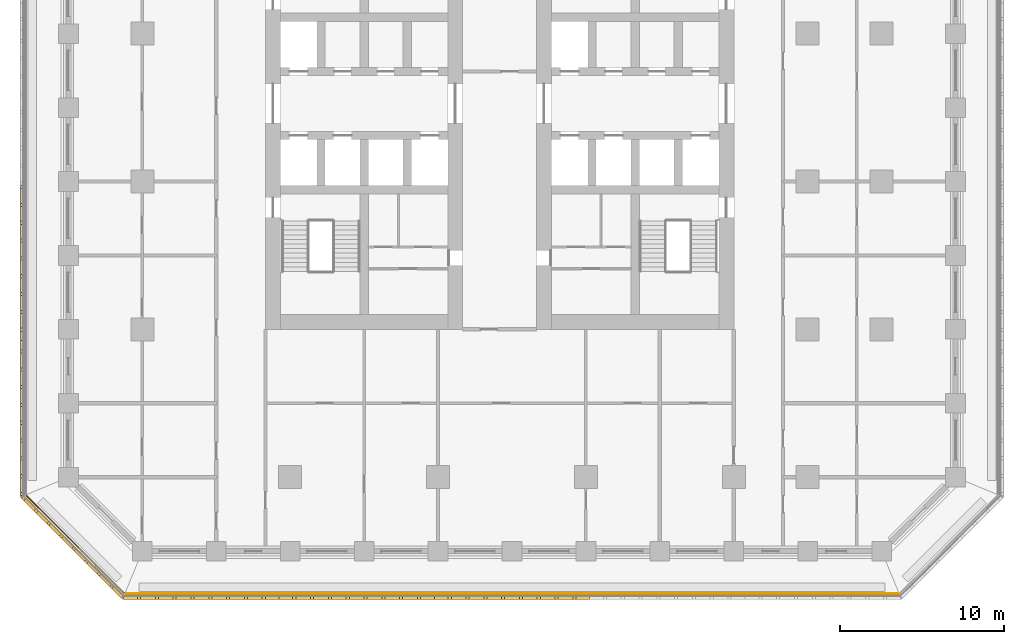
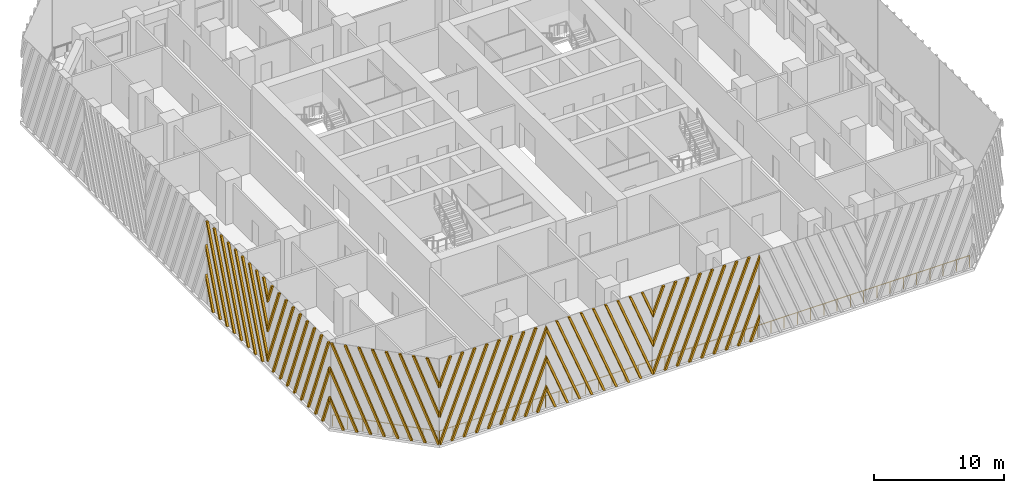
# One storey, part 11 of 20: 6 shading devices, 2 railings.
"""IFC4 building model written with IfcOpenShell, lengths in metres."""

import ifcopenshell
import ifcopenshell.guid

model = None  # the IFC model being written
_history = None  # IfcOwnerHistory: only IFC2X3 demands one
_inside = {}  # id of a spatial element -> (the spatial element, [elements in it])
_under = {}  # id of a project, library or spatial element -> (it, [spatial elements below it])
_declared = {}  # id of a project -> (the project, [libraries it declares])
_typed = {}  # id of a type object -> (the type object, [elements of that type])
_made_of = {}  # id of a material, layer set ... -> (it, [elements and type objects made of it])


def new_model(schema):
    """Start an empty IFC model of exactly this schema.

    Asked for "IFC4X3", IfcOpenShell would pick the latest addendum, in which some entities
    have other attributes; the version numbers below select the first issue.
    IFC2X3 requires an IfcOwnerHistory on every rooted entity: one is made here for all.
    """
    global model, _history
    if schema == "IFC4X3":
        model = ifcopenshell.file(schema_version=(4, 3, 0, 0))
    else:
        model = ifcopenshell.file(schema=schema)
    _inside.clear()
    _under.clear()
    _declared.clear()
    _typed.clear()
    _made_of.clear()
    _history = None
    if model.schema == "IFC2X3":
        org = make("IfcOrganization", Name="unknown")
        user = make(
            "IfcPersonAndOrganization",
            ThePerson=make("IfcPerson", FamilyName="unknown"),
            TheOrganization=org,
        )
        app = make(
            "IfcApplication",
            ApplicationDeveloper=org,
            Version="unknown",
            ApplicationFullName="unknown",
            ApplicationIdentifier="unknown",
        )
        _history = make(
            "IfcOwnerHistory",
            OwningUser=user,
            OwningApplication=app,
            ChangeAction="ADDED",
            CreationDate=0,
        )
    return model


def make(cls, **values):
    """One entity of the class cls with the attributes given. An attribute that is None is left unset."""
    return model.create_entity(
        cls, **{name: value for name, value in values.items() if value is not None}
    )


def rooted(cls, **values):
    """An entity with a GlobalId (a new one), such as an element, a storey or a relation."""
    return make(cls, GlobalId=ifcopenshell.guid.new(), OwnerHistory=_history, **values)


def si_unit(unit_type, name, prefix=None):
    """IfcSIUnit, for example si_unit("LENGTHUNIT", "METRE", prefix="MILLI")."""
    return make("IfcSIUnit", UnitType=unit_type, Prefix=prefix, Name=name)


def assignment(units):
    """IfcUnitAssignment: the units of a project."""
    return None if units is None else make("IfcUnitAssignment", Units=units)


def point(xyz):
    """IfcCartesianPoint."""
    return None if xyz is None else make("IfcCartesianPoint", Coordinates=xyz)


def direction(xyz):
    """IfcDirection."""
    return None if xyz is None else make("IfcDirection", DirectionRatios=xyz)


def frame(location, z_axis=None, x_axis=None):
    """IfcAxis2Placement3D, a coordinate frame: its origin and axes. An axis left out is left unset."""
    return make(
        "IfcAxis2Placement3D",
        Location=point(location),
        Axis=direction(z_axis),
        RefDirection=direction(x_axis),
    )


def frame_2d(location, x_axis=None):
    """IfcAxis2Placement2D, a coordinate frame in the plane: its origin and x axis."""
    return make(
        "IfcAxis2Placement2D", Location=point(location), RefDirection=direction(x_axis)
    )


def origin():
    """The frame at (0, 0, 0) with its axes left unset."""
    return frame((0.0, 0.0, 0.0))


def origin_2d():
    """The frame at (0, 0) in the plane with its x axis left unset."""
    return frame_2d((0.0, 0.0))


def place(relative_to, where):
    """IfcLocalPlacement: puts the frame where relative to a parent placement (None: the world)."""
    return make(
        "IfcLocalPlacement", PlacementRelTo=relative_to, RelativePlacement=where
    )


def context(
    kind, dimensions, precision=None, world=None, true_north=None, identifier=None
):
    """IfcGeometricRepresentationContext, for example the 3D "Model" context."""
    return make(
        "IfcGeometricRepresentationContext",
        ContextIdentifier=identifier,
        ContextType=kind,
        CoordinateSpaceDimension=dimensions,
        Precision=precision,
        WorldCoordinateSystem=world,
        TrueNorth=true_north,
    )


def subcontext(parent, identifier, kind, view, scale=None):
    """IfcGeometricRepresentationSubContext, for example "Body" below "Model"."""
    return make(
        "IfcGeometricRepresentationSubContext",
        ContextIdentifier=identifier,
        ContextType=kind,
        ParentContext=parent,
        TargetScale=scale,
        TargetView=view,
    )


def project(units=None, contexts=None):
    """IfcProject with its units and contexts."""
    return rooted(
        "IfcProject",
        Name="project",
        RepresentationContexts=contexts,
        UnitsInContext=assignment(units),
    )


def spatial(cls, under=None, at=None, **own):
    """A site, building, storey or space (cls), placed at a placement, below another one or the project."""
    s = rooted(cls, ObjectPlacement=at, **own)
    if under is not None:
        _under.setdefault(under.id(), (under, []))[1].append(s)
    return s


def polyline(points):
    """IfcPolyline through the points."""
    return make("IfcPolyline", Points=[point(p) for p in points])


def profile(cls, at=None, kind="AREA", **sizes):
    """A parametric profile (cls). Its sizes go by their IFC names, for example OverallWidth=200.0."""
    return make(cls, ProfileType=kind, Position=at, **sizes)


def circle(**sizes):
    """IfcCircleProfileDef."""
    return profile("IfcCircleProfileDef", **sizes)


def outline(outer, holes=None, kind="AREA"):
    """IfcArbitraryClosedProfileDef: a profile drawn as a closed curve; with holes, ...WithVoids."""
    if holes is None:
        return make("IfcArbitraryClosedProfileDef", ProfileType=kind, OuterCurve=outer)
    return make(
        "IfcArbitraryProfileDefWithVoids",
        ProfileType=kind,
        OuterCurve=outer,
        InnerCurves=holes,
    )


def extrude(swept, where, along, depth):
    """IfcExtrudedAreaSolid: the profile swept, set in the frame where, extruded along a direction by depth."""
    return make(
        "IfcExtrudedAreaSolid",
        SweptArea=swept,
        Position=where,
        ExtrudedDirection=direction(along),
        Depth=depth,
    )


def shape(context_of_items, identifier, shape_type, items):
    """IfcShapeRepresentation: the items that make up one representation, for example the "Body"."""
    return make(
        "IfcShapeRepresentation",
        ContextOfItems=context_of_items,
        RepresentationIdentifier=identifier,
        RepresentationType=shape_type,
        Items=items,
    )


def source(mapping_origin, context_of_items, identifier, shape_type, items):
    """IfcRepresentationMap: a shape defined once, which mapped items show again and again."""
    return make(
        "IfcRepresentationMap",
        MappingOrigin=mapping_origin,
        MappedRepresentation=shape(context_of_items, identifier, shape_type, items),
    )


def transform(
    local_origin,
    x_axis=None,
    y_axis=None,
    z_axis=None,
    scale=None,
    scale2=None,
    scale3=None,
    uniform=True,
):
    """IfcCartesianTransformationOperator3D, or its non-uniform kind. x_axis, y_axis, z_axis: its Axis1, 2, 3."""
    if uniform:
        return make(
            "IfcCartesianTransformationOperator3D",
            Axis1=direction(x_axis),
            Axis2=direction(y_axis),
            LocalOrigin=point(local_origin),
            Scale=scale,
            Axis3=direction(z_axis),
        )
    return make(
        "IfcCartesianTransformationOperator3DnonUniform",
        Axis1=direction(x_axis),
        Axis2=direction(y_axis),
        LocalOrigin=point(local_origin),
        Scale=scale,
        Axis3=direction(z_axis),
        Scale2=scale2,
        Scale3=scale3,
    )


def mapped(mapping_source, mapping_target):
    """IfcMappedItem: shows the shape of a source again, moved by a transform."""
    return make(
        "IfcMappedItem", MappingSource=mapping_source, MappingTarget=mapping_target
    )


def material(Name=None, Category=None):
    """IfcMaterial."""
    return make("IfcMaterial", Name=Name, Category=Category)


def made_of(thing, what):
    """Note that an element or type object is made of a material, layer set ...; save() writes the relation."""
    if what is not None:
        _made_of.setdefault(what.id(), (what, []))[1].append(thing)
    return thing


def type_object(cls, material=None, **own):
    """A type object (cls), such as IfcWallType, which elements share."""
    return made_of(rooted(cls, **own), material)


def element(
    cls,
    number,
    at=None,
    inside=None,
    cuts=None,
    type_object=None,
    material=None,
    context=None,
    identifier="Body",
    shape_type=None,
    held_by="IfcProductDefinitionShape",
    body=None,
    shapes=None,
    **own,
):
    """One element of the class cls, such as IfcWall. Its Tag is "e" and its number.

    at: its placement. inside: the storey or other place that contains it. cuts: it is an
    opening in that element (IfcRelVoidsElement). A single representation is given by context,
    identifier, shape_type and body (its items); several are given by shapes. held_by: the class
    of the entity that holds the representations. save() writes the other relations.
    """
    e = rooted(cls, Tag="e%d" % number, ObjectPlacement=at, **own)
    if body is not None:
        shapes = [shape(context, identifier, shape_type, body)]
    if shapes is not None:
        e.Representation = make(held_by, Representations=shapes)
    if inside is not None:
        _inside.setdefault(inside.id(), (inside, []))[1].append(e)
    if cuts is not None:
        rooted(
            "IfcRelVoidsElement", RelatingBuildingElement=cuts, RelatedOpeningElement=e
        )
    if type_object is not None:
        _typed.setdefault(type_object.id(), (type_object, []))[1].append(e)
    return made_of(e, material)


def aggregate(whole, parts):
    """IfcRelAggregates: a whole, such as a stair, and the parts it consists of."""
    return rooted("IfcRelAggregates", RelatingObject=whole, RelatedObjects=parts)


def save(model, path):
    """Write the relations noted so far, then the file.

    IfcRelAggregates (storeys below a building ...), IfcRelContainedInSpatialStructure (elements
    in a storey), IfcRelDefinesByType, IfcRelAssociatesMaterial and IfcRelDeclares: one each for
    every whole, place, type object, material and project.
    """
    for whole, parts in _under.values():
        aggregate(whole, parts)
    for where, things in _inside.values():
        rooted(
            "IfcRelContainedInSpatialStructure",
            RelatedElements=things,
            RelatingStructure=where,
        )
    for kind, things in _typed.values():
        rooted("IfcRelDefinesByType", RelatedObjects=things, RelatingType=kind)
    for what, things in _made_of.values():
        rooted("IfcRelAssociatesMaterial", RelatedObjects=things, RelatingMaterial=what)
    for by, libraries in _declared.values():
        rooted("IfcRelDeclares", RelatingContext=by, RelatedDefinitions=libraries)
    model.write(path)


model = new_model("IFC4")

# Units and contexts
model_context = context("Model", 3, precision=1e-05, world=origin(), true_north=direction((0.0, 1.0)))
body_context = subcontext(model_context, "Body", "Model", "MODEL_VIEW")
ifc_project = project(units=[si_unit("LENGTHUNIT", "METRE"), si_unit("AREAUNIT", "SQUARE_METRE"), si_unit("VOLUMEUNIT", "CUBIC_METRE"), si_unit("PLANEANGLEUNIT", "RADIAN"), si_unit("MASSUNIT", "GRAM", prefix="KILO")], contexts=[model_context])

# Site, building, storey
site_placement = place(None, origin())
site = spatial("IfcSite", under=ifc_project, at=site_placement, CompositionType="ELEMENT")
building_placement = place(site_placement, origin())
building = spatial("IfcBuilding", under=site, at=building_placement, Name="Corbel Stack Research Tower", CompositionType="ELEMENT")
storey_placement = place(building_placement, frame((0.0, 0.0, 98.39990234375)))
storey = spatial("IfcBuildingStorey", under=building, at=storey_placement, Name="L22", CompositionType="ELEMENT", Elevation=98.39990234375)

# Railings
ifc_material_1 = material(Name="Powder-coated steel guard", Category="steel")
railing_type = type_object("IfcRailingType", Name="Steel and glass guard 1100", PredefinedType="GUARDRAIL", material=ifc_material_1)
railing_1_placement = place(storey_placement, frame((-19.00537109375, -25.10009765625, 0.0)))
element("IfcRailing", 1, at=railing_1_placement, inside=storey, type_object=railing_type, Name="Loggia guard L22 S", PredefinedType="GUARDRAIL", context=body_context, shape_type="SweptSolid", body=[
    extrude(circle(Radius=0.02392578125, at=origin_2d()), frame((0.0, 0.0, 1.076171875), z_axis=(1.0, 0.0, 0.0), x_axis=(0.0, 1.0, 0.0)), (0.0, 0.0, 1.0), 47.0107421875),
    extrude(circle(Radius=0.02099609375, at=origin_2d()), origin(), (0.0, 0.0, 1.0), 1.052001953125),
    extrude(circle(Radius=0.02099609375, at=origin_2d()), frame((1.17529296875, 0.0, 0.0)), (0.0, 0.0, 1.0), 1.052001953125),
    extrude(circle(Radius=0.02099609375, at=origin_2d()), frame((2.3505859375, 0.0, 0.0)), (0.0, 0.0, 1.0), 1.052001953125),
    extrude(circle(Radius=0.02099609375, at=origin_2d()), frame((3.52587890625, 0.0, 0.0)), (0.0, 0.0, 1.0), 1.052001953125),
    extrude(circle(Radius=0.02099609375, at=origin_2d()), frame((4.701171875, 0.0, 0.0)), (0.0, 0.0, 1.0), 1.052001953125),
    extrude(circle(Radius=0.02099609375, at=origin_2d()), frame((5.87646484375, 0.0, 0.0)), (0.0, 0.0, 1.0), 1.052001953125),
    extrude(circle(Radius=0.02099609375, at=origin_2d()), frame((7.051513671875, 0.0, 0.0)), (0.0, 0.0, 1.0), 1.052001953125),
    extrude(circle(Radius=0.02099609375, at=origin_2d()), frame((8.226806640625, 0.0, 0.0)), (0.0, 0.0, 1.0), 1.052001953125),
    extrude(circle(Radius=0.02099609375, at=origin_2d()), frame((9.402099609375, 0.0, 0.0)), (0.0, 0.0, 1.0), 1.052001953125),
    extrude(circle(Radius=0.02099609375, at=origin_2d()), frame((10.577392578125, 0.0, 0.0)), (0.0, 0.0, 1.0), 1.052001953125),
    extrude(circle(Radius=0.02099609375, at=origin_2d()), frame((11.752685546875, 0.0, 0.0)), (0.0, 0.0, 1.0), 1.052001953125),
    extrude(circle(Radius=0.02099609375, at=origin_2d()), frame((12.927978515625, 0.0, 0.0)), (0.0, 0.0, 1.0), 1.052001953125),
    extrude(circle(Radius=0.02099609375, at=origin_2d()), frame((14.103271484375, 0.0, 0.0)), (0.0, 0.0, 1.0), 1.052001953125),
    extrude(circle(Radius=0.02099609375, at=origin_2d()), frame((15.278564453125, 0.0, 0.0)), (0.0, 0.0, 1.0), 1.052001953125),
    extrude(circle(Radius=0.02099609375, at=origin_2d()), frame((16.453857421875, 0.0, 0.0)), (0.0, 0.0, 1.0), 1.052001953125),
    extrude(circle(Radius=0.02099609375, at=origin_2d()), frame((17.62890625, 0.0, 0.0)), (0.0, 0.0, 1.0), 1.052001953125),
    extrude(circle(Radius=0.02099609375, at=origin_2d()), frame((18.80419921875, 0.0, 0.0)), (0.0, 0.0, 1.0), 1.052001953125),
    extrude(circle(Radius=0.02099609375, at=origin_2d()), frame((19.9794921875, 0.0, 0.0)), (0.0, 0.0, 1.0), 1.052001953125),
    extrude(circle(Radius=0.02099609375, at=origin_2d()), frame((21.15478515625, 0.0, 0.0)), (0.0, 0.0, 1.0), 1.052001953125),
    extrude(circle(Radius=0.02099609375, at=origin_2d()), frame((22.330078125, 0.0, 0.0)), (0.0, 0.0, 1.0), 1.052001953125),
    extrude(circle(Radius=0.02099609375, at=origin_2d()), frame((23.50537109375, 0.0, 0.0)), (0.0, 0.0, 1.0), 1.052001953125),
    extrude(circle(Radius=0.02099609375, at=origin_2d()), frame((24.6806640625, 0.0, 0.0)), (0.0, 0.0, 1.0), 1.052001953125),
    extrude(circle(Radius=0.02099609375, at=origin_2d()), frame((25.85595703125, 0.0, 0.0)), (0.0, 0.0, 1.0), 1.052001953125),
    extrude(circle(Radius=0.02099609375, at=origin_2d()), frame((27.03125, 0.0, 0.0)), (0.0, 0.0, 1.0), 1.052001953125),
    extrude(circle(Radius=0.02099609375, at=origin_2d()), frame((28.20654296875, 0.0, 0.0)), (0.0, 0.0, 1.0), 1.052001953125),
    extrude(circle(Radius=0.02099609375, at=origin_2d()), frame((29.3818359375, 0.0, 0.0)), (0.0, 0.0, 1.0), 1.052001953125),
    extrude(circle(Radius=0.02099609375, at=origin_2d()), frame((30.556884765625, 0.0, 0.0)), (0.0, 0.0, 1.0), 1.052001953125),
    extrude(circle(Radius=0.02099609375, at=origin_2d()), frame((31.732177734375, 0.0, 0.0)), (0.0, 0.0, 1.0), 1.052001953125),
    extrude(circle(Radius=0.02099609375, at=origin_2d()), frame((32.907470703125, 0.0, 0.0)), (0.0, 0.0, 1.0), 1.052001953125),
    extrude(circle(Radius=0.02099609375, at=origin_2d()), frame((34.082763671875, 0.0, 0.0)), (0.0, 0.0, 1.0), 1.052001953125),
    extrude(circle(Radius=0.02099609375, at=origin_2d()), frame((35.258056640625, 0.0, 0.0)), (0.0, 0.0, 1.0), 1.052001953125),
    extrude(circle(Radius=0.02099609375, at=origin_2d()), frame((36.433349609375, 0.0, 0.0)), (0.0, 0.0, 1.0), 1.052001953125),
    extrude(circle(Radius=0.02099609375, at=origin_2d()), frame((37.608642578125, 0.0, 0.0)), (0.0, 0.0, 1.0), 1.052001953125),
    extrude(circle(Radius=0.02099609375, at=origin_2d()), frame((38.783935546875, 0.0, 0.0)), (0.0, 0.0, 1.0), 1.052001953125),
    extrude(circle(Radius=0.02099609375, at=origin_2d()), frame((39.959228515625, 0.0, 0.0)), (0.0, 0.0, 1.0), 1.052001953125),
    extrude(circle(Radius=0.02099609375, at=origin_2d()), frame((41.13427734375, 0.0, 0.0)), (0.0, 0.0, 1.0), 1.052001953125),
    extrude(circle(Radius=0.02099609375, at=origin_2d()), frame((42.3095703125, 0.0, 0.0)), (0.0, 0.0, 1.0), 1.052001953125),
    extrude(circle(Radius=0.02099609375, at=origin_2d()), frame((43.48486328125, 0.0, 0.0)), (0.0, 0.0, 1.0), 1.052001953125),
    extrude(circle(Radius=0.02099609375, at=origin_2d()), frame((44.66015625, 0.0, 0.0)), (0.0, 0.0, 1.0), 1.052001953125),
    extrude(circle(Radius=0.02099609375, at=origin_2d()), frame((45.83544921875, 0.0, 0.0)), (0.0, 0.0, 1.0), 1.052001953125),
    extrude(circle(Radius=0.02099609375, at=origin_2d()), frame((47.0107421875, 0.0, 0.0)), (0.0, 0.0, 1.0), 1.052001953125),
])
railing_2_placement = place(storey_placement, frame((-25.04931640625, -19.127685546875, 0.0)))
element("IfcRailing", 2, at=railing_2_placement, inside=storey, type_object=railing_type, Name="Loggia guard L22 SW", PredefinedType="GUARDRAIL", context=body_context, shape_type="SweptSolid", body=[
    extrude(circle(Radius=0.02392578125, at=origin_2d()), frame((0.0, 0.0, 1.076171875), z_axis=(0.707106781187, -0.707106781187, 0.0), x_axis=(0.707106781187, 0.707106781187, 0.0)), (0.0, 0.0, 1.0), 8.37451171875),
    extrude(circle(Radius=0.02099609375, at=origin_2d()), origin(), (0.0, 0.0, 1.0), 1.052001953125),
    extrude(circle(Radius=0.02099609375, at=origin_2d()), frame((0.845947265625, -0.845947265625, 0.0)), (0.0, 0.0, 1.0), 1.052001953125),
    extrude(circle(Radius=0.02099609375, at=origin_2d()), frame((1.69189453125, -1.69189453125, 0.0)), (0.0, 0.0, 1.0), 1.052001953125),
    extrude(circle(Radius=0.02099609375, at=origin_2d()), frame((2.537841796875, -2.537841796875, 0.0)), (0.0, 0.0, 1.0), 1.052001953125),
    extrude(circle(Radius=0.02099609375, at=origin_2d()), frame((3.3837890625, -3.3837890625, 0.0)), (0.0, 0.0, 1.0), 1.052001953125),
    extrude(circle(Radius=0.02099609375, at=origin_2d()), frame((4.229736328125, -4.229736328125, 0.0)), (0.0, 0.0, 1.0), 1.052001953125),
    extrude(circle(Radius=0.02099609375, at=origin_2d()), frame((5.07568359375, -5.07568359375, 0.0)), (0.0, 0.0, 1.0), 1.052001953125),
    extrude(circle(Radius=0.02099609375, at=origin_2d()), frame((5.921630859375, -5.921630859375, 0.0)), (0.0, 0.0, 1.0), 1.052001953125),
])

# Shading devices
ifc_material_2 = material(Name="Precast terracotta", Category="masonry")
shading_device_type = type_object("IfcShadingDeviceType", Name="Terracotta screen panel", PredefinedType="USERDEFINED", material=ifc_material_2)
shared_shape_1 = source(origin(), body_context, "Body", "SweptSolid", [
    extrude(outline(polyline([(1.030517578125, 7.949951171875), (0.840576171875, 7.949951171875), (0.0, 5.7978515625), (0.0, 5.311279296875), (1.030517578125, 7.949951171875)])), frame((0.0, 0.0, 0.0), z_axis=(0.0, -1.0, 0.0), x_axis=(1.0, 0.0, 0.0)), (0.0, 0.0, 1.0), 0.179931640625),
    extrude(outline(polyline([(2.115234375, 7.949951171875), (1.92529296875, 7.949951171875), (0.0, 3.0205078125), (0.0, 2.533935546875), (2.115234375, 7.949951171875)])), frame((0.0, 0.0, 0.0), z_axis=(0.0, -1.0, 0.0), x_axis=(1.0, 0.0, 0.0)), (0.0, 0.0, 1.0), 0.179931640625),
    extrude(outline(polyline([(0.094970703125, 0.0), (3.199951171875, 7.949951171875), (3.010009765625, 7.949951171875), (0.0, 0.2431640625), (0.0, 0.0), (0.094970703125, 0.0)])), frame((0.0, 0.0, 0.0), z_axis=(0.0, -1.0, 0.0), x_axis=(1.0, 0.0, 0.0)), (0.0, 0.0, 1.0), 0.179931640625),
    extrude(outline(polyline([(1.1796875, 0.0), (4.284423828125, 7.949951171875), (4.094482421875, 7.949951171875), (0.98974609375, 0.0), (1.1796875, 0.0)])), frame((0.0, 0.0, 0.0), z_axis=(0.0, -1.0, 0.0), x_axis=(1.0, 0.0, 0.0)), (0.0, 0.0, 1.0), 0.179931640625),
    extrude(outline(polyline([(2.264404296875, 0.0), (5.369140625, 7.949951171875), (5.17919921875, 7.949951171875), (2.07421875, 0.0), (2.264404296875, 0.0)])), frame((0.0, 0.0, 0.0), z_axis=(0.0, -1.0, 0.0), x_axis=(1.0, 0.0, 0.0)), (0.0, 0.0, 1.0), 0.179931640625),
    extrude(outline(polyline([(3.34912109375, 0.0), (6.453857421875, 7.949951171875), (6.263916015625, 7.949951171875), (3.158935546875, 0.0), (3.34912109375, 0.0)])), frame((0.0, 0.0, 0.0), z_axis=(0.0, -1.0, 0.0), x_axis=(1.0, 0.0, 0.0)), (0.0, 0.0, 1.0), 0.179931640625),
    extrude(outline(polyline([(4.43359375, 0.0), (7.53857421875, 7.949951171875), (7.348388671875, 7.949951171875), (4.24365234375, 0.0), (4.43359375, 0.0)])), frame((0.0, 0.0, 0.0), z_axis=(0.0, -1.0, 0.0), x_axis=(1.0, 0.0, 0.0)), (0.0, 0.0, 1.0), 0.179931640625),
    extrude(outline(polyline([(5.518310546875, 0.0), (8.623291015625, 7.949951171875), (8.43310546875, 7.949951171875), (5.328369140625, 0.0), (5.518310546875, 0.0)])), frame((0.0, 0.0, 0.0), z_axis=(0.0, -1.0, 0.0), x_axis=(1.0, 0.0, 0.0)), (0.0, 0.0, 1.0), 0.179931640625),
    extrude(outline(polyline([(6.60302734375, 0.0), (9.45556640625, 7.30419921875), (9.45556640625, 7.790771484375), (6.4130859375, 0.0), (6.60302734375, 0.0)])), frame((0.0, 0.0, 0.0), z_axis=(0.0, -1.0, 0.0), x_axis=(1.0, 0.0, 0.0)), (0.0, 0.0, 1.0), 0.179931640625),
    extrude(outline(polyline([(7.687744140625, 0.0), (9.45556640625, 4.52685546875), (9.45556640625, 5.013427734375), (7.497802734375, 0.0), (7.687744140625, 0.0)])), frame((0.0, 0.0, 0.0), z_axis=(0.0, -1.0, 0.0), x_axis=(1.0, 0.0, 0.0)), (0.0, 0.0, 1.0), 0.179931640625),
    extrude(outline(polyline([(8.772216796875, 0.0), (9.45556640625, 1.74951171875), (9.45556640625, 2.236083984375), (8.582275390625, 0.0), (8.772216796875, 0.0)])), frame((0.0, 0.0, 0.0), z_axis=(0.0, -1.0, 0.0), x_axis=(1.0, 0.0, 0.0)), (0.0, 0.0, 1.0), 0.179931640625),
])
for number, where, z_axis, x_axis, name in (
    (3, (-19.13916015625, -25.25, 0.0), (0.0, 0.0, 1.0), (1.0, 0.0, 0.0), "Terracotta screen L22 S1"),
    (4, (-0.227783203125, -25.25, 0.0), (0.0, 0.0, 1.0), (1.0, 0.0, 0.0), "Terracotta screen L22 S3"),
):
    element("IfcShadingDevice", number, at=place(storey_placement, frame(where, z_axis=z_axis, x_axis=x_axis)), inside=storey, type_object=shading_device_type, Name=name, ObjectType="SCREEN", PredefinedType="USERDEFINED", context=body_context, shape_type="MappedRepresentation", body=[
        mapped(shared_shape_1, transform((0.0, 0.0, 0.0))),
    ])
shared_shape_2 = source(origin(), body_context, "Body", "SweptSolid", [
    extrude(outline(polyline([(0.873291015625, 0.0), (0.0, 2.236083984375), (0.0, 1.74951171875), (0.683349609375, 0.0), (0.873291015625, 0.0)])), frame((0.0, 0.0, 0.0), z_axis=(0.0, -1.0, 0.0), x_axis=(1.0, 0.0, 0.0)), (0.0, 0.0, 1.0), 0.179931640625),
    extrude(outline(polyline([(1.9580078125, 0.0), (0.0, 5.013427734375), (0.0, 4.52685546875), (1.76806640625, 0.0), (1.9580078125, 0.0)])), frame((0.0, 0.0, 0.0), z_axis=(0.0, -1.0, 0.0), x_axis=(1.0, 0.0, 0.0)), (0.0, 0.0, 1.0), 0.179931640625),
    extrude(outline(polyline([(3.04248046875, 0.0), (0.0, 7.790771484375), (0.0, 7.30419921875), (2.8525390625, 0.0), (3.04248046875, 0.0)])), frame((0.0, 0.0, 0.0), z_axis=(0.0, -1.0, 0.0), x_axis=(1.0, 0.0, 0.0)), (0.0, 0.0, 1.0), 0.179931640625),
    extrude(outline(polyline([(4.127197265625, 0.0), (1.0224609375, 7.949951171875), (0.83251953125, 7.949951171875), (3.937255859375, 0.0), (4.127197265625, 0.0)])), frame((0.0, 0.0, 0.0), z_axis=(0.0, -1.0, 0.0), x_axis=(1.0, 0.0, 0.0)), (0.0, 0.0, 1.0), 0.179931640625),
    extrude(outline(polyline([(5.2119140625, 0.0), (2.107177734375, 7.949951171875), (1.9169921875, 7.949951171875), (5.02197265625, 0.0), (5.2119140625, 0.0)])), frame((0.0, 0.0, 0.0), z_axis=(0.0, -1.0, 0.0), x_axis=(1.0, 0.0, 0.0)), (0.0, 0.0, 1.0), 0.179931640625),
    extrude(outline(polyline([(6.296630859375, 0.0), (3.19189453125, 7.949951171875), (3.001708984375, 7.949951171875), (6.106689453125, 0.0), (6.296630859375, 0.0)])), frame((0.0, 0.0, 0.0), z_axis=(0.0, -1.0, 0.0), x_axis=(1.0, 0.0, 0.0)), (0.0, 0.0, 1.0), 0.179931640625),
    extrude(outline(polyline([(7.38134765625, 0.0), (4.276611328125, 7.949951171875), (4.08642578125, 7.949951171875), (7.19140625, 0.0), (7.38134765625, 0.0)])), frame((0.0, 0.0, 0.0), z_axis=(0.0, -1.0, 0.0), x_axis=(1.0, 0.0, 0.0)), (0.0, 0.0, 1.0), 0.179931640625),
    extrude(outline(polyline([(8.466064453125, 0.0), (5.361083984375, 7.949951171875), (5.171142578125, 7.949951171875), (8.27587890625, 0.0), (8.466064453125, 0.0)])), frame((0.0, 0.0, 0.0), z_axis=(0.0, -1.0, 0.0), x_axis=(1.0, 0.0, 0.0)), (0.0, 0.0, 1.0), 0.179931640625),
    extrude(outline(polyline([(9.45556640625, 0.0), (9.45556640625, 0.2431640625), (6.44580078125, 7.949951171875), (6.255859375, 7.949951171875), (9.360595703125, 0.0), (9.45556640625, 0.0)])), frame((0.0, 0.0, 0.0), z_axis=(0.0, -1.0, 0.0), x_axis=(1.0, 0.0, 0.0)), (0.0, 0.0, 1.0), 0.179931640625),
    extrude(outline(polyline([(7.530517578125, 7.949951171875), (7.34033203125, 7.949951171875), (9.45556640625, 2.533935546875), (9.45556640625, 3.0205078125), (7.530517578125, 7.949951171875)])), frame((0.0, 0.0, 0.0), z_axis=(0.0, -1.0, 0.0), x_axis=(1.0, 0.0, 0.0)), (0.0, 0.0, 1.0), 0.179931640625),
    extrude(outline(polyline([(8.614990234375, 7.949951171875), (8.425048828125, 7.949951171875), (9.45556640625, 5.311279296875), (9.45556640625, 5.7978515625), (8.614990234375, 7.949951171875)])), frame((0.0, 0.0, 0.0), z_axis=(0.0, -1.0, 0.0), x_axis=(1.0, 0.0, 0.0)), (0.0, 0.0, 1.0), 0.179931640625),
])
shading_device_1_placement = place(storey_placement, frame((-9.68359375, -25.25, 0.0), z_axis=(0.0, 0.0, 1.0), x_axis=(1.0, 0.0, 0.0)))
element("IfcShadingDevice", 5, at=shading_device_1_placement, inside=storey, type_object=shading_device_type, Name="Terracotta screen L22 S2", ObjectType="SCREEN", PredefinedType="USERDEFINED", context=body_context, shape_type="MappedRepresentation", body=[
    mapped(shared_shape_2, transform((0.0, 0.0, 0.0))),
])
shared_shape_3 = source(origin(), body_context, "Body", "SweptSolid", [
    extrude(outline(polyline([(0.759521484375, 7.949951171875), (0.5693359375, 7.949951171875), (0.0, 6.4921875), (0.0, 6.005615234375), (0.759521484375, 7.949951171875)])), frame((0.0, 0.0, 0.0), z_axis=(0.0, -1.0, 0.0), x_axis=(1.0, 0.0, 0.0)), (0.0, 0.0, 1.0), 0.179931640625),
    extrude(outline(polyline([(1.843994140625, 7.949951171875), (1.654052734375, 7.949951171875), (0.0, 3.71484375), (0.0, 3.228515625), (1.843994140625, 7.949951171875)])), frame((0.0, 0.0, 0.0), z_axis=(0.0, -1.0, 0.0), x_axis=(1.0, 0.0, 0.0)), (0.0, 0.0, 1.0), 0.179931640625),
    extrude(outline(polyline([(2.9287109375, 7.949951171875), (2.73876953125, 7.949951171875), (0.0, 0.9375), (0.0, 0.451171875), (2.9287109375, 7.949951171875)])), frame((0.0, 0.0, 0.0), z_axis=(0.0, -1.0, 0.0), x_axis=(1.0, 0.0, 0.0)), (0.0, 0.0, 1.0), 0.179931640625),
    extrude(outline(polyline([(0.908447265625, 0.0), (4.013427734375, 7.949951171875), (3.823486328125, 7.949951171875), (0.718505859375, 0.0), (0.908447265625, 0.0)])), frame((0.0, 0.0, 0.0), z_axis=(0.0, -1.0, 0.0), x_axis=(1.0, 0.0, 0.0)), (0.0, 0.0, 1.0), 0.179931640625),
    extrude(outline(polyline([(1.9931640625, 0.0), (5.097900390625, 7.949951171875), (4.907958984375, 7.949951171875), (1.80322265625, 0.0), (1.9931640625, 0.0)])), frame((0.0, 0.0, 0.0), z_axis=(0.0, -1.0, 0.0), x_axis=(1.0, 0.0, 0.0)), (0.0, 0.0, 1.0), 0.179931640625),
    extrude(outline(polyline([(3.077880859375, 0.0), (6.1826171875, 7.949951171875), (5.99267578125, 7.949951171875), (2.8876953125, 0.0), (3.077880859375, 0.0)])), frame((0.0, 0.0, 0.0), z_axis=(0.0, -1.0, 0.0), x_axis=(1.0, 0.0, 0.0)), (0.0, 0.0, 1.0), 0.179931640625),
    extrude(outline(polyline([(4.16259765625, 0.0), (7.267333984375, 7.949951171875), (7.077392578125, 7.949951171875), (3.972412109375, 0.0), (4.16259765625, 0.0)])), frame((0.0, 0.0, 0.0), z_axis=(0.0, -1.0, 0.0), x_axis=(1.0, 0.0, 0.0)), (0.0, 0.0, 1.0), 0.179931640625),
    extrude(outline(polyline([(5.247314453125, 0.0), (8.35205078125, 7.949951171875), (8.162109375, 7.949951171875), (5.05712890625, 0.0), (5.247314453125, 0.0)])), frame((0.0, 0.0, 0.0), z_axis=(0.0, -1.0, 0.0), x_axis=(1.0, 0.0, 0.0)), (0.0, 0.0, 1.0), 0.179931640625),
    extrude(outline(polyline([(6.331787109375, 0.0), (9.436767578125, 7.949951171875), (9.24658203125, 7.949951171875), (6.141845703125, 0.0), (6.331787109375, 0.0)])), frame((0.0, 0.0, 0.0), z_axis=(0.0, -1.0, 0.0), x_axis=(1.0, 0.0, 0.0)), (0.0, 0.0, 1.0), 0.179931640625),
    extrude(outline(polyline([(7.41650390625, 0.0), (9.45556640625, 5.22119140625), (9.45556640625, 5.707763671875), (7.2265625, 0.0), (7.41650390625, 0.0)])), frame((0.0, 0.0, 0.0), z_axis=(0.0, -1.0, 0.0), x_axis=(1.0, 0.0, 0.0)), (0.0, 0.0, 1.0), 0.179931640625),
    extrude(outline(polyline([(8.501220703125, 0.0), (9.45556640625, 2.44384765625), (9.45556640625, 2.930419921875), (8.311279296875, 0.0), (8.501220703125, 0.0)])), frame((0.0, 0.0, 0.0), z_axis=(0.0, -1.0, 0.0), x_axis=(1.0, 0.0, 0.0)), (0.0, 0.0, 1.0), 0.179931640625),
])
shading_device_2_placement = place(storey_placement, frame((-25.25, -9.68359375, 0.0), z_axis=(0.0, 0.0, 1.0), x_axis=(0.0, -1.0, 0.0)))
element("IfcShadingDevice", 6, at=shading_device_2_placement, inside=storey, type_object=shading_device_type, Name="Terracotta screen L22 W5", ObjectType="SCREEN", PredefinedType="USERDEFINED", context=body_context, shape_type="MappedRepresentation", body=[
    mapped(shared_shape_3, transform((0.0, 0.0, 0.0))),
])
shared_shape_4 = source(origin(), body_context, "Body", "SweptSolid", [
    extrude(outline(polyline([(1.14453125, 0.0), (0.0, 2.930419921875), (0.0, 2.44384765625), (0.95458984375, 0.0), (1.14453125, 0.0)])), frame((0.0, 0.0, 0.0), z_axis=(0.0, -1.0, 0.0), x_axis=(1.0, 0.0, 0.0)), (0.0, 0.0, 1.0), 0.179931640625),
    extrude(outline(polyline([(2.22900390625, 0.0), (0.0, 5.707763671875), (0.0, 5.22119140625), (2.0390625, 0.0), (2.22900390625, 0.0)])), frame((0.0, 0.0, 0.0), z_axis=(0.0, -1.0, 0.0), x_axis=(1.0, 0.0, 0.0)), (0.0, 0.0, 1.0), 0.179931640625),
    extrude(outline(polyline([(3.313720703125, 0.0), (0.208984375, 7.949951171875), (0.01904296875, 7.949951171875), (3.123779296875, 0.0), (3.313720703125, 0.0)])), frame((0.0, 0.0, 0.0), z_axis=(0.0, -1.0, 0.0), x_axis=(1.0, 0.0, 0.0)), (0.0, 0.0, 1.0), 0.179931640625),
    extrude(outline(polyline([(4.3984375, 0.0), (1.293701171875, 7.949951171875), (1.103515625, 7.949951171875), (4.20849609375, 0.0), (4.3984375, 0.0)])), frame((0.0, 0.0, 0.0), z_axis=(0.0, -1.0, 0.0), x_axis=(1.0, 0.0, 0.0)), (0.0, 0.0, 1.0), 0.179931640625),
    extrude(outline(polyline([(5.483154296875, 0.0), (2.37841796875, 7.949951171875), (2.188232421875, 7.949951171875), (5.293212890625, 0.0), (5.483154296875, 0.0)])), frame((0.0, 0.0, 0.0), z_axis=(0.0, -1.0, 0.0), x_axis=(1.0, 0.0, 0.0)), (0.0, 0.0, 1.0), 0.179931640625),
    extrude(outline(polyline([(6.56787109375, 0.0), (3.462890625, 7.949951171875), (3.27294921875, 7.949951171875), (6.377685546875, 0.0), (6.56787109375, 0.0)])), frame((0.0, 0.0, 0.0), z_axis=(0.0, -1.0, 0.0), x_axis=(1.0, 0.0, 0.0)), (0.0, 0.0, 1.0), 0.179931640625),
    extrude(outline(polyline([(7.652587890625, 0.0), (4.547607421875, 7.949951171875), (4.357666015625, 7.949951171875), (7.46240234375, 0.0), (7.652587890625, 0.0)])), frame((0.0, 0.0, 0.0), z_axis=(0.0, -1.0, 0.0), x_axis=(1.0, 0.0, 0.0)), (0.0, 0.0, 1.0), 0.179931640625),
    extrude(outline(polyline([(8.737060546875, 0.0), (5.63232421875, 7.949951171875), (5.4423828125, 7.949951171875), (8.547119140625, 0.0), (8.737060546875, 0.0)])), frame((0.0, 0.0, 0.0), z_axis=(0.0, -1.0, 0.0), x_axis=(1.0, 0.0, 0.0)), (0.0, 0.0, 1.0), 0.179931640625),
    extrude(outline(polyline([(6.716796875, 7.949951171875), (6.52685546875, 7.949951171875), (9.45556640625, 0.451171875), (9.45556640625, 0.9375), (6.716796875, 7.949951171875)])), frame((0.0, 0.0, 0.0), z_axis=(0.0, -1.0, 0.0), x_axis=(1.0, 0.0, 0.0)), (0.0, 0.0, 1.0), 0.179931640625),
    extrude(outline(polyline([(7.801513671875, 7.949951171875), (7.611572265625, 7.949951171875), (9.45556640625, 3.228515625), (9.45556640625, 3.71484375), (7.801513671875, 7.949951171875)])), frame((0.0, 0.0, 0.0), z_axis=(0.0, -1.0, 0.0), x_axis=(1.0, 0.0, 0.0)), (0.0, 0.0, 1.0), 0.179931640625),
    extrude(outline(polyline([(8.88623046875, 7.949951171875), (8.6962890625, 7.949951171875), (9.45556640625, 6.005615234375), (9.45556640625, 6.4921875), (8.88623046875, 7.949951171875)])), frame((0.0, 0.0, 0.0), z_axis=(0.0, -1.0, 0.0), x_axis=(1.0, 0.0, 0.0)), (0.0, 0.0, 1.0), 0.179931640625),
])
shading_device_3_placement = place(storey_placement, frame((-25.25, -0.227783203125, 0.0), z_axis=(0.0, 0.0, 1.0), x_axis=(0.0, -1.0, 0.0)))
element("IfcShadingDevice", 7, at=shading_device_3_placement, inside=storey, type_object=shading_device_type, Name="Terracotta screen L22 W4", ObjectType="SCREEN", PredefinedType="USERDEFINED", context=body_context, shape_type="MappedRepresentation", body=[
    mapped(shared_shape_4, transform((0.0, 0.0, 0.0))),
])
shared_shape_5 = source(origin(), body_context, "Body", "SweptSolid", [
    extrude(outline(polyline([(1.14453125, 0.0), (0.0, 2.930419921875), (0.0, 2.44384765625), (0.95458984375, 0.0), (1.14453125, 0.0)])), frame((0.0, 0.0, 0.0), z_axis=(0.0, -1.0, 0.0), x_axis=(1.0, 0.0, 0.0)), (0.0, 0.0, 1.0), 0.179931640625),
    extrude(outline(polyline([(2.22900390625, 0.0), (0.0, 5.707763671875), (0.0, 5.22119140625), (2.0390625, 0.0), (2.22900390625, 0.0)])), frame((0.0, 0.0, 0.0), z_axis=(0.0, -1.0, 0.0), x_axis=(1.0, 0.0, 0.0)), (0.0, 0.0, 1.0), 0.179931640625),
    extrude(outline(polyline([(3.313720703125, 0.0), (0.208984375, 7.949951171875), (0.01904296875, 7.949951171875), (3.123779296875, 0.0), (3.313720703125, 0.0)])), frame((0.0, 0.0, 0.0), z_axis=(0.0, -1.0, 0.0), x_axis=(1.0, 0.0, 0.0)), (0.0, 0.0, 1.0), 0.179931640625),
    extrude(outline(polyline([(4.3984375, 0.0), (1.293701171875, 7.949951171875), (1.103515625, 7.949951171875), (4.20849609375, 0.0), (4.3984375, 0.0)])), frame((0.0, 0.0, 0.0), z_axis=(0.0, -1.0, 0.0), x_axis=(1.0, 0.0, 0.0)), (0.0, 0.0, 1.0), 0.179931640625),
    extrude(outline(polyline([(5.483154296875, 0.0), (2.37841796875, 7.949951171875), (2.188232421875, 7.949951171875), (5.293212890625, 0.0), (5.483154296875, 0.0)])), frame((0.0, 0.0, 0.0), z_axis=(0.0, -1.0, 0.0), x_axis=(1.0, 0.0, 0.0)), (0.0, 0.0, 1.0), 0.179931640625),
    extrude(outline(polyline([(6.56787109375, 0.0), (3.462890625, 7.949951171875), (3.27294921875, 7.949951171875), (6.377685546875, 0.0), (6.56787109375, 0.0)])), frame((0.0, 0.0, 0.0), z_axis=(0.0, -1.0, 0.0), x_axis=(1.0, 0.0, 0.0)), (0.0, 0.0, 1.0), 0.179931640625),
    extrude(outline(polyline([(7.652587890625, 0.0), (4.547607421875, 7.949951171875), (4.357666015625, 7.949951171875), (7.46240234375, 0.0), (7.652587890625, 0.0)])), frame((0.0, 0.0, 0.0), z_axis=(0.0, -1.0, 0.0), x_axis=(1.0, 0.0, 0.0)), (0.0, 0.0, 1.0), 0.179931640625),
    extrude(outline(polyline([(8.64208984375, 0.0), (8.64208984375, 0.2431640625), (5.63232421875, 7.949951171875), (5.4423828125, 7.949951171875), (8.547119140625, 0.0), (8.64208984375, 0.0)])), frame((0.0, 0.0, 0.0), z_axis=(0.0, -1.0, 0.0), x_axis=(1.0, 0.0, 0.0)), (0.0, 0.0, 1.0), 0.179931640625),
    extrude(outline(polyline([(6.716796875, 7.949951171875), (6.52685546875, 7.949951171875), (8.64208984375, 2.533935546875), (8.64208984375, 3.0205078125), (6.716796875, 7.949951171875)])), frame((0.0, 0.0, 0.0), z_axis=(0.0, -1.0, 0.0), x_axis=(1.0, 0.0, 0.0)), (0.0, 0.0, 1.0), 0.179931640625),
    extrude(outline(polyline([(7.801513671875, 7.949951171875), (7.611572265625, 7.949951171875), (8.64208984375, 5.311279296875), (8.64208984375, 5.7978515625), (7.801513671875, 7.949951171875)])), frame((0.0, 0.0, 0.0), z_axis=(0.0, -1.0, 0.0), x_axis=(1.0, 0.0, 0.0)), (0.0, 0.0, 1.0), 0.179931640625),
])
shading_device_4_placement = place(storey_placement, frame((-25.25, -19.13916015625, 0.0), z_axis=(0.0, 0.0, 1.0), x_axis=(0.707106781187, -0.707106781187, 0.0)))
element("IfcShadingDevice", 8, at=shading_device_4_placement, inside=storey, type_object=shading_device_type, Name="Terracotta screen L22 SW1", ObjectType="SCREEN", PredefinedType="USERDEFINED", context=body_context, shape_type="MappedRepresentation", body=[
    mapped(shared_shape_5, transform((0.0, 0.0, 0.0))),
])

save(model, "model.ifc")
